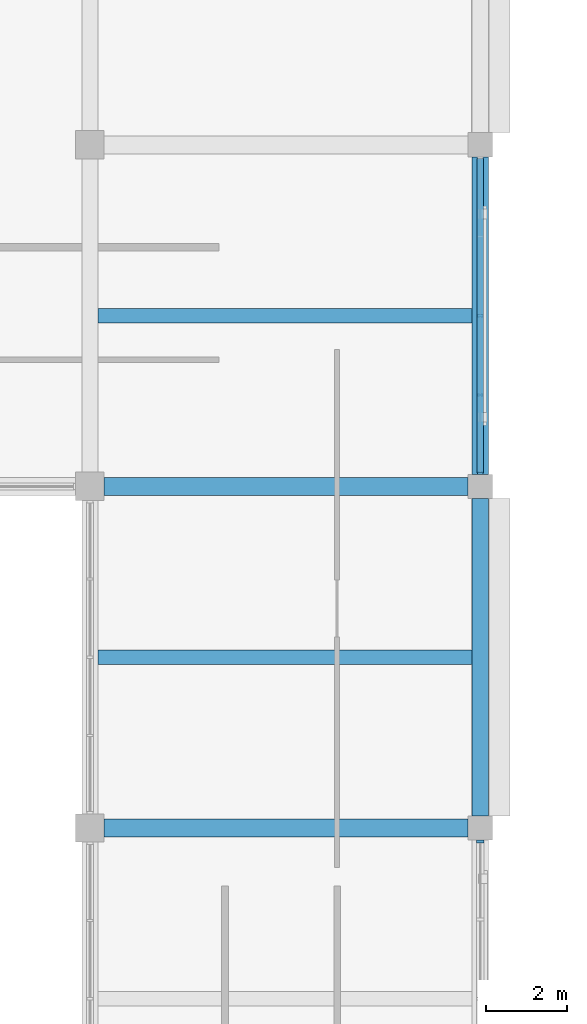
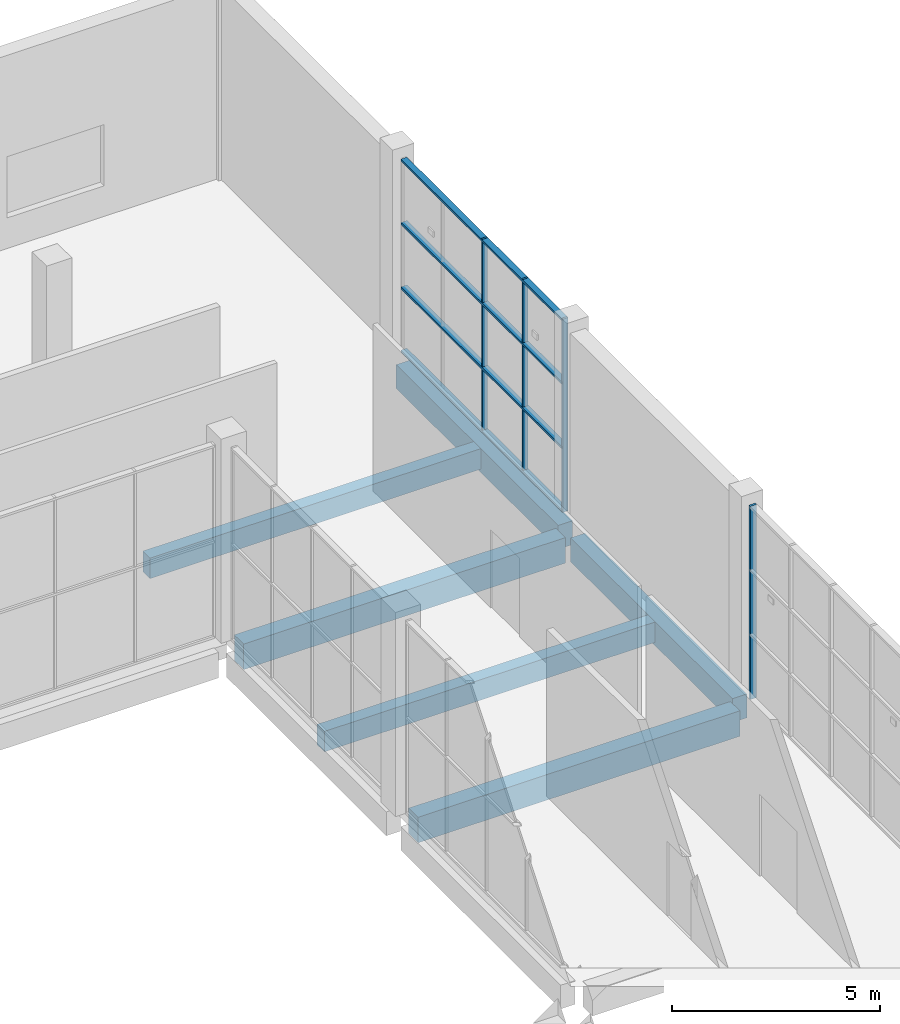
# One storey, part 25 of 84: 8 members, 6 beams, 2 elements without a shape of their own.
"""IFC4 building model written with IfcOpenShell, lengths in metres."""

from ifc_helpers import new_model, si_unit, direction, frame, origin, origin_2d, place, context, subcontext, project, spatial, rectangle, extrude, material, material_profile, profile_set, type_object, element, aggregate, save


model = new_model("IFC4")

# Units and contexts
model_context = context("Model", 3, precision=1e-05, world=origin(), true_north=direction((0.0, 1.0)))
body_context = subcontext(model_context, "Body", "Model", "MODEL_VIEW")
ifc_project = project(units=[si_unit("LENGTHUNIT", "METRE"), si_unit("AREAUNIT", "SQUARE_METRE"), si_unit("VOLUMEUNIT", "CUBIC_METRE"), si_unit("PLANEANGLEUNIT", "RADIAN"), si_unit("MASSUNIT", "GRAM", prefix="KILO")], contexts=[model_context])

# Site, building, storey
site_placement = place(None, origin())
site = spatial("IfcSite", under=ifc_project, at=site_placement, CompositionType="ELEMENT")
building_placement = place(site_placement, origin())
building = spatial("IfcBuilding", under=site, at=building_placement, Name="Shalvenor Court Art Gallery", CompositionType="ELEMENT")
storey_placement = place(building_placement, origin())
storey = spatial("IfcBuildingStorey", under=building, at=storey_placement, Name="L00", CompositionType="ELEMENT", Elevation=0.0)

# Beams
ifc_material_1 = material(Name="Concrete C40/50", Category="concrete")
ifc_material_profile_1 = material_profile(ifc_material_1, rectangle(XDim=0.449951171875, YDim=0.75, at=origin_2d()), Name="RC 450x750")
ifc_profile_set_1 = profile_set([ifc_material_profile_1], Name="Concrete C40/50")
beam_type_1 = type_object("IfcBeamType", Name="B-04", PredefinedType="BEAM", material=ifc_profile_set_1)
for number, where, z_axis, x_axis, name in (
    (1, (29.14990234375, 97.199951171875, -0.715087890625), (1.0, 0.0, 0.0), (0.0, 1.0, 0.0), "L00 Girder BM-L00-B-04-0238"),
    (2, (29.14990234375, 105.60009765625, -0.715087890625), (1.0, 0.0, 0.0), (0.0, 1.0, 0.0), "L00 Girder BM-L00-B-04-0254"),
):
    element("IfcBeam", number, at=place(storey_placement, frame(where, z_axis=z_axis, x_axis=x_axis)), inside=storey, type_object=beam_type_1, Name=name, PredefinedType="BEAM", context=body_context, shape_type="SweptSolid", body=[
        extrude(rectangle(XDim=0.449951171875, YDim=0.75, at=origin_2d()), origin(), (0.0, 0.0, 1.0), 8.9501953125),
    ])
ifc_material_2 = material(Name="Concrete C40/50", Category="concrete")
ifc_material_profile_2 = material_profile(ifc_material_2, rectangle(XDim=0.39990234375, YDim=0.699951171875, at=origin_2d()), Name="RC 400x700")
ifc_profile_set_2 = profile_set([ifc_material_profile_2], Name="Concrete C40/50")
beam_type_2 = type_object("IfcBeamType", Name="B-05", PredefinedType="BEAM", material=ifc_profile_set_2)
for number, where, z_axis, x_axis, name in (
    (3, (38.39990234375, 97.5, -0.68994140625), (0.0, 1.0, 0.0), (-1.0, 0.0, 0.0), "L00 Girder BM-L00-B-05-0038"),
    (4, (38.39990234375, 105.89990234375, -0.68994140625), (0.0, 1.0, 0.0), (-1.0, 0.0, 0.0), "L00 Girder BM-L00-B-05-0039"),
):
    element("IfcBeam", number, at=place(storey_placement, frame(where, z_axis=z_axis, x_axis=x_axis)), inside=storey, type_object=beam_type_2, Name=name, PredefinedType="BEAM", context=body_context, shape_type="SweptSolid", body=[
        extrude(rectangle(XDim=0.39990234375, YDim=0.699951171875, at=origin_2d()), origin(), (0.0, 0.0, 1.0), 7.800048828125),
    ])

# Curtain wall, member
ifc_material_3 = material(Name="Anodised aluminium and low-iron glass curtain wall", Category="aluminium")
curtain_wall_type_1 = type_object("IfcCurtainWallType", Name="CW-4x3-78-57-141", PredefinedType="USERDEFINED", material=ifc_material_3)
curtain_wall_1_placement = place(storey_placement, origin())
curtain_wall_1 = element("IfcCurtainWall", 5, at=curtain_wall_1_placement, inside=storey, type_object=curtain_wall_type_1, Name="L00 V5 Curtain Wall CW-L00-152", ObjectType="CURTAIN WALL", PredefinedType="USERDEFINED")
ifc_material_4 = material(Name="Anodised aluminium mullion", Category="aluminium")
ifc_material_profile_3 = material_profile(ifc_material_4, rectangle(XDim=0.06494140625, YDim=0.179931640625, at=origin_2d()), Name="CWM-01")
ifc_profile_set_3 = profile_set([ifc_material_profile_3], Name="Anodised aluminium mullion")
member_type_1 = type_object("IfcMemberType", Name="CWM-01", PredefinedType="MULLION", material=ifc_profile_set_3)
member_1_placement = place(storey_placement, frame((38.39990234375, 96.867431640625, 0.0), z_axis=(0.0, 0.0, 1.0), x_axis=(0.0, -1.0, 0.0)))
member_1 = element("IfcMember", 6, at=member_1_placement, type_object=member_type_1, Name="CW-4x3-78-57-141 mullion 1", PredefinedType="MULLION", context=body_context, shape_type="SweptSolid", body=[
    extrude(rectangle(XDim=0.06494140625, YDim=0.179931640625, at=origin_2d()), origin(), (0.0, 0.0, 1.0), 5.679931640625),
])
aggregate(curtain_wall_1, [member_1])

# Curtain wall, members
ifc_material_5 = material(Name="Anodised aluminium and low-iron glass curtain wall", Category="aluminium")
curtain_wall_type_2 = type_object("IfcCurtainWallType", Name="CW-4x3-78-57-621", PredefinedType="USERDEFINED", material=ifc_material_5)
curtain_wall_2_placement = place(storey_placement, origin())
curtain_wall_2 = element("IfcCurtainWall", 7, at=curtain_wall_2_placement, inside=storey, type_object=curtain_wall_type_2, Name="L00 V5 Curtain Wall CW-L00-151", ObjectType="CURTAIN WALL", PredefinedType="USERDEFINED")
ifc_material_6 = material(Name="Anodised aluminium mullion", Category="aluminium")
ifc_material_profile_4 = material_profile(ifc_material_6, rectangle(XDim=0.054931640625, YDim=0.139892578125, at=origin_2d()), Name="CWM-06")
ifc_profile_set_4 = profile_set([ifc_material_profile_4], Name="Anodised aluminium mullion")
member_type_2 = type_object("IfcMemberType", Name="CWM-06", PredefinedType="MULLION", material=ifc_profile_set_4)
member_2_placement = place(storey_placement, frame((38.39990234375, 109.800048828125, 0.0), z_axis=(0.0, 0.0, 1.0), x_axis=(0.0, -1.0, 0.0)))
member_2 = element("IfcMember", 8, at=member_2_placement, type_object=member_type_2, Name="CW-4x3-78-57-621 mullion 3", PredefinedType="MULLION", context=body_context, shape_type="SweptSolid", body=[
    extrude(rectangle(XDim=0.054931640625, YDim=0.139892578125, at=origin_2d()), origin(), (0.0, 0.0, 1.0), 5.679931640625),
])
member_3_placement = place(storey_placement, frame((38.39990234375, 107.85009765625, 0.0), z_axis=(0.0, 0.0, 1.0), x_axis=(0.0, -1.0, 0.0)))
member_3 = element("IfcMember", 9, at=member_3_placement, type_object=member_type_2, Name="CW-4x3-78-57-621 mullion 4", PredefinedType="MULLION", context=body_context, shape_type="SweptSolid", body=[
    extrude(rectangle(XDim=0.054931640625, YDim=0.139892578125, at=origin_2d()), origin(), (0.0, 0.0, 1.0), 5.679931640625),
])
member_4_placement = place(storey_placement, frame((38.39990234375, 105.927490234375, 0.0), z_axis=(0.0, 0.0, 1.0), x_axis=(0.0, -1.0, 0.0)))
member_4 = element("IfcMember", 10, at=member_4_placement, type_object=member_type_2, Name="CW-4x3-78-57-621 mullion 5", PredefinedType="MULLION", context=body_context, shape_type="SweptSolid", body=[
    extrude(rectangle(XDim=0.054931640625, YDim=0.139892578125, at=origin_2d()), origin(), (0.0, 0.0, 1.0), 5.679931640625),
])
ifc_material_7 = material(Name="Anodised aluminium transom", Category="aluminium")
ifc_material_profile_5 = material_profile(ifc_material_7, rectangle(XDim=0.169921875, YDim=0.06494140625, at=origin_2d()), Name="CWT-02")
ifc_profile_set_5 = profile_set([ifc_material_profile_5], Name="Anodised aluminium transom")
member_type_3 = type_object("IfcMemberType", Name="CWT-02", PredefinedType="USERDEFINED", material=ifc_profile_set_5)
member_5_placement = place(storey_placement, frame((38.39990234375, 113.672607421875, 0.032470703125), z_axis=(0.0, -1.0, 0.0), x_axis=(1.0, 0.0, 0.0)))
member_5 = element("IfcMember", 11, at=member_5_placement, type_object=member_type_3, Name="CW-4x3-78-57-621 transom 1", ObjectType="TRANSOM", PredefinedType="USERDEFINED", context=body_context, shape_type="SweptSolid", body=[
    extrude(rectangle(XDim=0.169921875, YDim=0.06494140625, at=origin_2d()), origin(), (0.0, 0.0, 1.0), 7.7451171875),
])
member_6_placement = place(storey_placement, frame((38.39990234375, 113.672607421875, 1.893310546875), z_axis=(0.0, -1.0, 0.0), x_axis=(1.0, 0.0, 0.0)))
member_6 = element("IfcMember", 12, at=member_6_placement, type_object=member_type_3, Name="CW-4x3-78-57-621 transom 2", ObjectType="TRANSOM", PredefinedType="USERDEFINED", context=body_context, shape_type="SweptSolid", body=[
    extrude(rectangle(XDim=0.169921875, YDim=0.06494140625, at=origin_2d()), origin(), (0.0, 0.0, 1.0), 7.7451171875),
])
member_7_placement = place(storey_placement, frame((38.39990234375, 113.672607421875, 3.78662109375), z_axis=(0.0, -1.0, 0.0), x_axis=(1.0, 0.0, 0.0)))
member_7 = element("IfcMember", 13, at=member_7_placement, type_object=member_type_3, Name="CW-4x3-78-57-621 transom 3", ObjectType="TRANSOM", PredefinedType="USERDEFINED", context=body_context, shape_type="SweptSolid", body=[
    extrude(rectangle(XDim=0.169921875, YDim=0.06494140625, at=origin_2d()), origin(), (0.0, 0.0, 1.0), 7.7451171875),
])
member_8_placement = place(storey_placement, frame((38.39990234375, 113.672607421875, 5.6474609375), z_axis=(0.0, -1.0, 0.0), x_axis=(1.0, 0.0, 0.0)))
member_8 = element("IfcMember", 14, at=member_8_placement, type_object=member_type_3, Name="CW-4x3-78-57-621 transom 4", ObjectType="TRANSOM", PredefinedType="USERDEFINED", context=body_context, shape_type="SweptSolid", body=[
    extrude(rectangle(XDim=0.169921875, YDim=0.06494140625, at=origin_2d()), origin(), (0.0, 0.0, 1.0), 7.7451171875),
])
aggregate(curtain_wall_2, [member_2, member_3, member_4, member_5, member_6, member_7, member_8])

# Beams
ifc_material_8 = material(Name="Concrete C40/50", Category="concrete")
ifc_material_profile_6 = material_profile(ifc_material_8, rectangle(XDim=0.35009765625, YDim=0.60009765625, at=origin_2d()), Name="RC 350x600")
ifc_profile_set_6 = profile_set([ifc_material_profile_6], Name="Concrete C40/50")
beam_type_3 = type_object("IfcBeamType", Name="J-01", PredefinedType="JOIST", material=ifc_profile_set_6)
for number, where, z_axis, x_axis, name in (
    (15, (29.0, 101.39990234375, -0.639892578125), (1.0, 0.0, 0.0), (0.0, 1.0, 0.0), "L00 Secondary Beam JST-L00-J-01-0299"),
    (16, (29.0, 109.800048828125, -0.639892578125), (1.0, 0.0, 0.0), (0.0, 1.0, 0.0), "L00 Secondary Beam JST-L00-J-01-0300"),
):
    element("IfcBeam", number, at=place(storey_placement, frame(where, z_axis=z_axis, x_axis=x_axis)), inside=storey, type_object=beam_type_3, Name=name, PredefinedType="JOIST", context=body_context, shape_type="SweptSolid", body=[
        extrude(rectangle(XDim=0.35009765625, YDim=0.60009765625, at=origin_2d()), origin(), (0.0, 0.0, 1.0), 9.199951171875),
    ])

save(model, "model.ifc")
